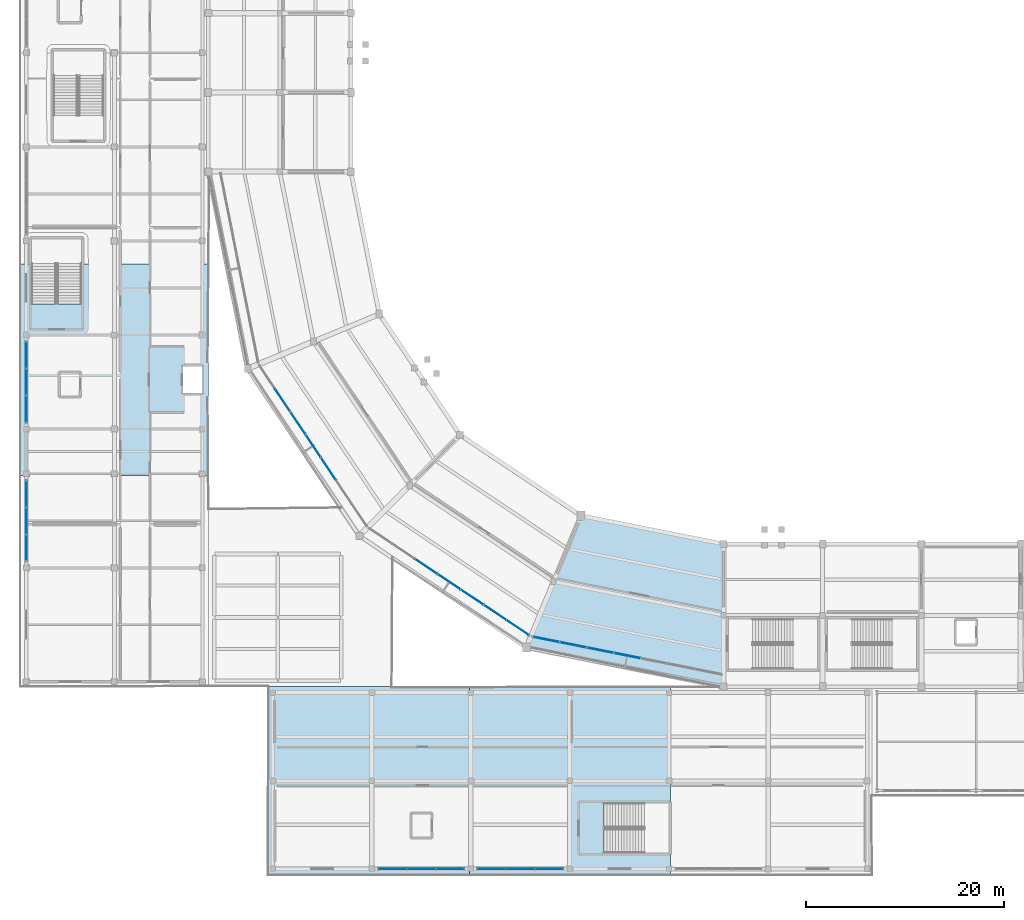
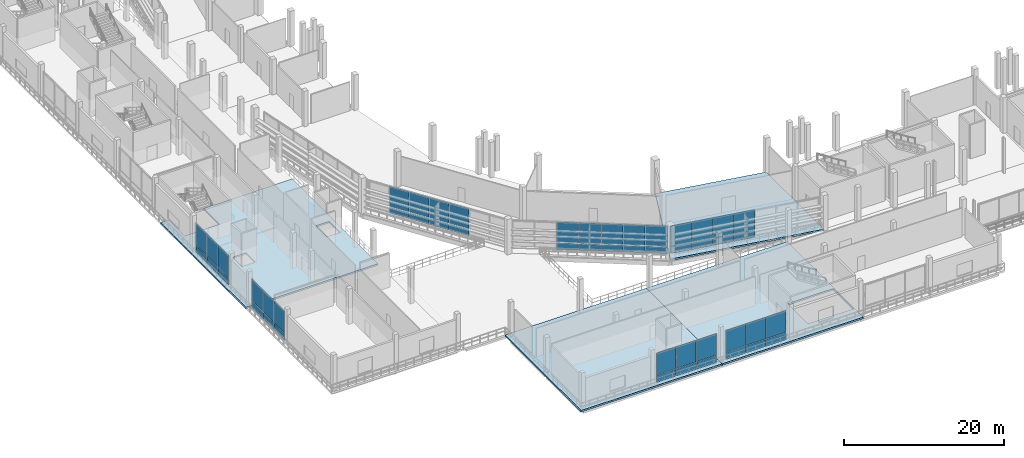
# One storey, part 59 of 111: 50 plates, 4 slabs, 7 elements without a shape of their own.
"""IFC4 building model written with IfcOpenShell, lengths in metres."""

from ifc_helpers import new_model, si_unit, direction, frame, origin, origin_2d, place, context, subcontext, project, spatial, polyline, rectangle, outline, extrude, material, layer, layer_set, type_object, element, aggregate, save


model = new_model("IFC4")

# Units and contexts
model_context = context("Model", 3, precision=1e-05, world=origin(), true_north=direction((0.0, 1.0)))
body_context = subcontext(model_context, "Body", "Model", "MODEL_VIEW")
ifc_project = project(units=[si_unit("LENGTHUNIT", "METRE"), si_unit("AREAUNIT", "SQUARE_METRE"), si_unit("VOLUMEUNIT", "CUBIC_METRE"), si_unit("PLANEANGLEUNIT", "RADIAN"), si_unit("MASSUNIT", "GRAM", prefix="KILO")], contexts=[model_context])

# Site, building, storey
site_placement = place(None, origin())
site = spatial("IfcSite", under=ifc_project, at=site_placement, CompositionType="ELEMENT")
building_placement = place(site_placement, origin())
building = spatial("IfcBuilding", under=site, at=building_placement, Name="Candeia Ridge Stadium", CompositionType="ELEMENT")
storey_placement = place(building_placement, frame((0.0, 0.0, 16.199951171875)))
storey = spatial("IfcBuildingStorey", under=building, at=storey_placement, Name="L03", CompositionType="ELEMENT", Elevation=16.199951171875)

# Slabs
ifc_material_1 = material(Name="Concrete C40/50", Category="concrete")
ifc_layer_1 = layer(ifc_material_1, 0.25, Name="Concrete C40/50", Category="concrete")
ifc_layer_set_1 = layer_set([ifc_layer_1], Name="Concrete C40/50")
slab_type = type_object("IfcSlabType", Name="Hospitality & Museum Slab 250", PredefinedType="FLOOR", material=ifc_layer_set_1)
slab_1_placement = place(storey_placement, frame((0.0, 0.0, -0.25)))
element("IfcSlab", 1, at=slab_1_placement, inside=storey, type_object=slab_type, Name="Bowl concourse sector slab L03 bay 18 SLB-L03-0126", PredefinedType="FLOOR", context=body_context, shape_type="SweptSolid", body=[
    extrude(outline(polyline([(70.960693359375, 33.40771484375), (70.960693359375, 19.0078125), (51.1005859375, 22.958251953125), (56.611083984375, 36.26220703125), (70.960693359375, 33.40771484375)])), origin(), (0.0, 0.0, 1.0), 0.25),
])
slab_2_placement = place(storey_placement, frame((0.0, 0.0, -0.25)))
element("IfcSlab", 2, at=slab_2_placement, inside=storey, type_object=slab_type, Name="Wing floor slab west SLB-L03-0277", PredefinedType="FLOOR", context=body_context, shape_type="SweptSolid", body=[
    extrude(outline(polyline([(19.0, 61.666748046875), (19.0, 40.333251953125), (0.0, 40.333251953125), (0.0, 61.666748046875), (1.14990234375, 61.666748046875), (1.14990234375, 57.650634765625), (6.199951171875, 57.650634765625), (6.199951171875, 61.666748046875), (19.0, 61.666748046875)]), holes=[polyline([(5.949951171875, 48.35009765625), (5.949951171875, 50.64990234375), (4.050048828125, 50.64990234375), (4.050048828125, 48.35009765625), (5.949951171875, 48.35009765625)]), polyline([(18.35009765625, 48.64990234375), (18.35009765625, 51.35009765625), (16.449951171875, 51.35009765625), (16.449951171875, 48.64990234375), (18.35009765625, 48.64990234375)])]), origin(), (0.0, 0.0, 1.0), 0.25),
])
slab_3_placement = place(storey_placement, frame((0.0, 0.0, -0.25)))
element("IfcSlab", 3, at=slab_3_placement, inside=storey, type_object=slab_type, Name="Wing floor slab sw_s SLB-L03-0282", PredefinedType="FLOOR", context=body_context, shape_type="SweptSolid", body=[
    extrude(outline(polyline([(25.0, 0.0), (25.0, 19.0), (45.333251953125, 19.0), (45.333251953125, 0.0), (25.0, 0.0)]), holes=[polyline([(41.449951171875, 3.85009765625), (41.449951171875, 6.14990234375), (39.550048828125, 6.14990234375), (39.550048828125, 3.85009765625), (41.449951171875, 3.85009765625)])]), origin(), (0.0, 0.0, 1.0), 0.25),
])
slab_4_placement = place(storey_placement, frame((0.0, 0.0, -0.25)))
element("IfcSlab", 4, at=slab_4_placement, inside=storey, type_object=slab_type, Name="Wing floor slab sw_s SLB-L03-0283", PredefinedType="FLOOR", context=body_context, shape_type="SweptSolid", body=[
    extrude(outline(polyline([(45.333251953125, 0.0), (45.333251953125, 19.0), (65.666748046875, 19.0), (65.666748046875, 0.0), (45.333251953125, 0.0)]), holes=[polyline([(65.5, 2.199951171875), (65.5, 7.25), (58.95068359375, 7.25), (58.95068359375, 2.199951171875), (65.5, 2.199951171875)])]), origin(), (0.0, 0.0, 1.0), 0.25),
])

# Curtain wall, plates
ifc_material_2 = material(Name="Aluminium Anodized Warm Bronze", Category="aluminium")
curtain_wall_type_1 = type_object("IfcCurtainWallType", Name="Concourse Recessed Unitised Curtain Wall", PredefinedType="NOTDEFINED", material=ifc_material_2)
curtain_wall_1_placement = place(storey_placement, origin())
curtain_wall_1 = element("IfcCurtainWall", 5, at=curtain_wall_1_placement, inside=storey, type_object=curtain_wall_type_1, Name="Unitised curtain wall CW-BWL-L03-17", PredefinedType="NOTDEFINED")
ifc_material_3 = material(Name="Aluminium Insulated Spandrel", Category="aluminium")
ifc_layer_2 = layer(ifc_material_3, 0.06494140625, Name="Aluminium Insulated Spandrel", Category="aluminium")
ifc_layer_set_2 = layer_set([ifc_layer_2], Name="Aluminium Insulated Spandrel")
plate_type_1 = type_object("IfcPlateType", Name="Insulated Bronze Spandrel Panel SP1", PredefinedType="CURTAIN_PANEL", material=ifc_layer_set_2)
plate_1_placement = place(storey_placement, frame((53.099609375, 23.760498046875, 0.0400390625), z_axis=(0.0, 0.0, 1.0), x_axis=(0.980785280696, -0.195090320544, 0.0)))
plate_1 = element("IfcPlate", 6, at=plate_1_placement, type_object=plate_type_1, Name="Curtain wall spandrel panel CW-BWL-L03-17-SP0", PredefinedType="CURTAIN_PANEL", context=body_context, shape_type="SweptSolid", body=[
    extrude(rectangle(XDim=2.710205078125, YDim=0.06494140625, at=origin_2d()), origin(), (0.0, 0.0, 1.0), 0.97119140625),
])
plate_2_placement = place(storey_placement, frame((55.826416015625, 23.21826171875, 0.0400390625), z_axis=(0.0, 0.0, 1.0), x_axis=(0.980785280696, -0.195090320544, 0.0)))
plate_2 = element("IfcPlate", 7, at=plate_2_placement, type_object=plate_type_1, Name="Curtain wall spandrel panel CW-BWL-L03-17-SP1", PredefinedType="CURTAIN_PANEL", context=body_context, shape_type="SweptSolid", body=[
    extrude(rectangle(XDim=2.710205078125, YDim=0.06494140625, at=origin_2d()), origin(), (0.0, 0.0, 1.0), 0.97119140625),
])
plate_3_placement = place(storey_placement, frame((58.552978515625, 22.67578125, 0.0400390625), z_axis=(0.0, 0.0, 1.0), x_axis=(0.980785280696, -0.195090320544, 0.0)))
plate_3 = element("IfcPlate", 8, at=plate_3_placement, type_object=plate_type_1, Name="Curtain wall spandrel panel CW-BWL-L03-17-SP2", PredefinedType="CURTAIN_PANEL", context=body_context, shape_type="SweptSolid", body=[
    extrude(rectangle(XDim=2.710205078125, YDim=0.06494140625, at=origin_2d()), origin(), (0.0, 0.0, 1.0), 0.97119140625),
])
plate_4_placement = place(storey_placement, frame((61.27978515625, 22.13330078125, 0.0400390625), z_axis=(0.0, 0.0, 1.0), x_axis=(0.980785280696, -0.195090320544, 0.0)))
plate_4 = element("IfcPlate", 9, at=plate_4_placement, type_object=plate_type_1, Name="Curtain wall spandrel panel CW-BWL-L03-17-SP3", PredefinedType="CURTAIN_PANEL", context=body_context, shape_type="SweptSolid", body=[
    extrude(rectangle(XDim=2.710205078125, YDim=0.06494140625, at=origin_2d()), origin(), (0.0, 0.0, 1.0), 0.97119140625),
])

curtain_wall_2_placement = place(storey_placement, origin())
curtain_wall_2 = element("IfcCurtainWall", 10, at=curtain_wall_2_placement, inside=storey, type_object=curtain_wall_type_1, Name="Unitised curtain wall CW-BWL-L03-15", PredefinedType="NOTDEFINED")
ifc_layer_3 = layer(ifc_material_3, 0.06494140625, Name="Aluminium Insulated Spandrel", Category="aluminium")
ifc_layer_set_3 = layer_set([ifc_layer_3], Name="Aluminium Insulated Spandrel")
plate_type_2 = type_object("IfcPlateType", Name="Insulated Bronze Spandrel Panel SP4", PredefinedType="CURTAIN_PANEL", material=ifc_layer_set_3)
plate_5_placement = place(storey_placement, frame((26.48388671875, 47.942626953125, 0.0400390625), z_axis=(0.0, 0.0, 1.0), x_axis=(0.555571447533, -0.831468800789, 0.0)))
plate_5 = element("IfcPlate", 11, at=plate_5_placement, type_object=plate_type_2, Name="Curtain wall spandrel panel CW-BWL-L03-15-SP1", PredefinedType="CURTAIN_PANEL", context=body_context, shape_type="SweptSolid", body=[
    extrude(rectangle(XDim=2.710205078125, YDim=0.06494140625, at=origin_2d()), origin(), (0.0, 0.0, 1.0), 0.97119140625),
])
plate_6_placement = place(storey_placement, frame((28.0283203125, 45.630859375, 0.0400390625), z_axis=(0.0, 0.0, 1.0), x_axis=(0.555571447533, -0.831468800789, 0.0)))
plate_6 = element("IfcPlate", 12, at=plate_6_placement, type_object=plate_type_2, Name="Curtain wall spandrel panel CW-BWL-L03-15-SP2", PredefinedType="CURTAIN_PANEL", context=body_context, shape_type="SweptSolid", body=[
    extrude(rectangle(XDim=2.710205078125, YDim=0.06494140625, at=origin_2d()), origin(), (0.0, 0.0, 1.0), 0.97119140625),
])
plate_7_placement = place(storey_placement, frame((29.572998046875, 43.3193359375, 0.0400390625), z_axis=(0.0, 0.0, 1.0), x_axis=(0.555571447533, -0.831468800789, 0.0)))
plate_7 = element("IfcPlate", 13, at=plate_7_placement, type_object=plate_type_2, Name="Curtain wall spandrel panel CW-BWL-L03-15-SP3", PredefinedType="CURTAIN_PANEL", context=body_context, shape_type="SweptSolid", body=[
    extrude(rectangle(XDim=2.710205078125, YDim=0.06494140625, at=origin_2d()), origin(), (0.0, 0.0, 1.0), 0.97119140625),
])
plate_8_placement = place(storey_placement, frame((31.117431640625, 41.0078125, 0.0400390625), z_axis=(0.0, 0.0, 1.0), x_axis=(0.555571447533, -0.831468800789, 0.0)))
plate_8 = element("IfcPlate", 14, at=plate_8_placement, type_object=plate_type_2, Name="Curtain wall spandrel panel CW-BWL-L03-15-SP4", PredefinedType="CURTAIN_PANEL", context=body_context, shape_type="SweptSolid", body=[
    extrude(rectangle(XDim=2.710205078125, YDim=0.06494140625, at=origin_2d()), origin(), (0.0, 0.0, 1.0), 0.97119140625),
])

curtain_wall_3_placement = place(storey_placement, origin())
curtain_wall_3 = element("IfcCurtainWall", 15, at=curtain_wall_3_placement, inside=storey, type_object=curtain_wall_type_1, Name="Unitised curtain wall CW-BWL-L03-16", PredefinedType="NOTDEFINED")
ifc_layer_4 = layer(ifc_material_3, 0.06494140625, Name="Aluminium Insulated Spandrel", Category="aluminium")
ifc_layer_set_4 = layer_set([ifc_layer_4], Name="Aluminium Insulated Spandrel")
plate_type_3 = type_object("IfcPlateType", Name="Insulated Bronze Spandrel Panel SP5", PredefinedType="CURTAIN_PANEL", material=ifc_layer_set_4)
plate_9_placement = place(storey_placement, frame((41.0078125, 31.117431640625, 0.0400390625), z_axis=(0.0, 0.0, 1.0), x_axis=(0.831468800789, -0.555571447533, 0.0)))
plate_9 = element("IfcPlate", 16, at=plate_9_placement, type_object=plate_type_3, Name="Curtain wall spandrel panel CW-BWL-L03-16-SP2", PredefinedType="CURTAIN_PANEL", context=body_context, shape_type="SweptSolid", body=[
    extrude(rectangle(XDim=2.710205078125, YDim=0.06494140625, at=origin_2d()), origin(), (0.0, 0.0, 1.0), 0.981201171875),
])
plate_10_placement = place(storey_placement, frame((43.3193359375, 29.572998046875, 0.0400390625), z_axis=(0.0, 0.0, 1.0), x_axis=(0.831468800789, -0.555571447533, 0.0)))
plate_10 = element("IfcPlate", 17, at=plate_10_placement, type_object=plate_type_3, Name="Curtain wall spandrel panel CW-BWL-L03-16-SP3", PredefinedType="CURTAIN_PANEL", context=body_context, shape_type="SweptSolid", body=[
    extrude(rectangle(XDim=2.710205078125, YDim=0.06494140625, at=origin_2d()), origin(), (0.0, 0.0, 1.0), 0.981201171875),
])
plate_11_placement = place(storey_placement, frame((45.630859375, 28.0283203125, 0.0400390625), z_axis=(0.0, 0.0, 1.0), x_axis=(0.831468800789, -0.555571447533, 0.0)))
plate_11 = element("IfcPlate", 18, at=plate_11_placement, type_object=plate_type_3, Name="Curtain wall spandrel panel CW-BWL-L03-16-SP4", PredefinedType="CURTAIN_PANEL", context=body_context, shape_type="SweptSolid", body=[
    extrude(rectangle(XDim=2.710205078125, YDim=0.06494140625, at=origin_2d()), origin(), (0.0, 0.0, 1.0), 0.981201171875),
])
plate_12_placement = place(storey_placement, frame((47.942626953125, 26.48388671875, 0.0400390625), z_axis=(0.0, 0.0, 1.0), x_axis=(0.831468800789, -0.555571447533, 0.0)))
plate_12 = element("IfcPlate", 19, at=plate_12_placement, type_object=plate_type_3, Name="Curtain wall spandrel panel CW-BWL-L03-16-SP5", PredefinedType="CURTAIN_PANEL", context=body_context, shape_type="SweptSolid", body=[
    extrude(rectangle(XDim=2.710205078125, YDim=0.06494140625, at=origin_2d()), origin(), (0.0, 0.0, 1.0), 0.981201171875),
])
plate_13_placement = place(storey_placement, frame((50.254150390625, 24.939208984375, 0.0400390625), z_axis=(0.0, 0.0, 1.0), x_axis=(0.831468800789, -0.555571447533, 0.0)))
plate_13 = element("IfcPlate", 20, at=plate_13_placement, type_object=plate_type_3, Name="Curtain wall spandrel panel CW-BWL-L03-16-SP6", PredefinedType="CURTAIN_PANEL", context=body_context, shape_type="SweptSolid", body=[
    extrude(rectangle(XDim=2.710205078125, YDim=0.06494140625, at=origin_2d()), origin(), (0.0, 0.0, 1.0), 0.981201171875),
])

curtain_wall_type_2 = type_object("IfcCurtainWallType", Name="West Pavilion Hospitality Curtain Wall", PredefinedType="NOTDEFINED", material=ifc_material_2)
curtain_wall_4_placement = place(storey_placement, origin())
curtain_wall_4 = element("IfcCurtainWall", 21, at=curtain_wall_4_placement, inside=storey, type_object=curtain_wall_type_2, Name="Unitised curtain wall CW-WNG-L03-087", PredefinedType="NOTDEFINED")
ifc_layer_5 = layer(ifc_material_3, 0.06494140625, Name="Aluminium Insulated Spandrel", Category="aluminium")
ifc_layer_set_5 = layer_set([ifc_layer_5], Name="Aluminium Insulated Spandrel")
plate_type_4 = type_object("IfcPlateType", Name="Insulated Cedar-Tone Spandrel Panel SP3", PredefinedType="CURTAIN_PANEL", material=ifc_layer_set_5)
plate_14_placement = place(storey_placement, frame((0.60009765625, 33.023193359375, 0.0400390625), z_axis=(0.0, 0.0, 1.0), x_axis=(0.0, 1.0, 0.0)))
plate_14 = element("IfcPlate", 22, at=plate_14_placement, type_object=plate_type_4, Name="Curtain wall spandrel panel CW-WNG-L03-087-SP0", PredefinedType="CURTAIN_PANEL", context=body_context, shape_type="SweptSolid", body=[
    extrude(rectangle(XDim=2.65673828125, YDim=0.06494140625, at=origin_2d()), origin(), (0.0, 0.0, 1.0), 1.02001953125),
])
plate_15_placement = place(storey_placement, frame((0.60009765625, 35.75, 0.0400390625), z_axis=(0.0, 0.0, 1.0), x_axis=(0.0, 1.0, 0.0)))
plate_15 = element("IfcPlate", 23, at=plate_15_placement, type_object=plate_type_4, Name="Curtain wall spandrel panel CW-WNG-L03-087-SP1", PredefinedType="CURTAIN_PANEL", context=body_context, shape_type="SweptSolid", body=[
    extrude(rectangle(XDim=2.65673828125, YDim=0.06494140625, at=origin_2d()), origin(), (0.0, 0.0, 1.0), 1.02001953125),
])
plate_16_placement = place(storey_placement, frame((0.60009765625, 38.476806640625, 0.0400390625), z_axis=(0.0, 0.0, 1.0), x_axis=(0.0, 1.0, 0.0)))
plate_16 = element("IfcPlate", 24, at=plate_16_placement, type_object=plate_type_4, Name="Curtain wall spandrel panel CW-WNG-L03-087-SP2", PredefinedType="CURTAIN_PANEL", context=body_context, shape_type="SweptSolid", body=[
    extrude(rectangle(XDim=2.65673828125, YDim=0.06494140625, at=origin_2d()), origin(), (0.0, 0.0, 1.0), 1.02001953125),
])

curtain_wall_5_placement = place(storey_placement, origin())
curtain_wall_5 = element("IfcCurtainWall", 25, at=curtain_wall_5_placement, inside=storey, type_object=curtain_wall_type_2, Name="Unitised curtain wall CW-WNG-L03-088", PredefinedType="NOTDEFINED")
plate_17_placement = place(storey_placement, frame((0.60009765625, 47.023193359375, 0.0400390625), z_axis=(0.0, 0.0, 1.0), x_axis=(0.0, 1.0, 0.0)))
plate_17 = element("IfcPlate", 26, at=plate_17_placement, type_object=plate_type_4, Name="Curtain wall spandrel panel CW-WNG-L03-088-SP0", PredefinedType="CURTAIN_PANEL", context=body_context, shape_type="SweptSolid", body=[
    extrude(rectangle(XDim=2.65673828125, YDim=0.06494140625, at=origin_2d()), origin(), (0.0, 0.0, 1.0), 1.02001953125),
])
plate_18_placement = place(storey_placement, frame((0.60009765625, 49.75, 0.0400390625), z_axis=(0.0, 0.0, 1.0), x_axis=(0.0, 1.0, 0.0)))
plate_18 = element("IfcPlate", 27, at=plate_18_placement, type_object=plate_type_4, Name="Curtain wall spandrel panel CW-WNG-L03-088-SP1", PredefinedType="CURTAIN_PANEL", context=body_context, shape_type="SweptSolid", body=[
    extrude(rectangle(XDim=2.65673828125, YDim=0.06494140625, at=origin_2d()), origin(), (0.0, 0.0, 1.0), 1.02001953125),
])
plate_19_placement = place(storey_placement, frame((0.60009765625, 52.476806640625, 0.0400390625), z_axis=(0.0, 0.0, 1.0), x_axis=(0.0, 1.0, 0.0)))
plate_19 = element("IfcPlate", 28, at=plate_19_placement, type_object=plate_type_4, Name="Curtain wall spandrel panel CW-WNG-L03-088-SP2", PredefinedType="CURTAIN_PANEL", context=body_context, shape_type="SweptSolid", body=[
    extrude(rectangle(XDim=2.65673828125, YDim=0.06494140625, at=origin_2d()), origin(), (0.0, 0.0, 1.0), 1.02001953125),
])

curtain_wall_type_3 = type_object("IfcCurtainWallType", Name="Museum & Boulevard Showcase Curtain Wall", PredefinedType="NOTDEFINED", material=ifc_material_2)
curtain_wall_6_placement = place(storey_placement, origin())
curtain_wall_6 = element("IfcCurtainWall", 29, at=curtain_wall_6_placement, inside=storey, type_object=curtain_wall_type_3, Name="Unitised curtain wall CW-WNG-L03-131", PredefinedType="NOTDEFINED")
plate_20_placement = place(storey_placement, frame((37.606689453125, 0.60009765625, 0.0400390625), z_axis=(0.0, 0.0, 1.0), x_axis=(1.0, 0.0, 0.0)))
plate_20 = element("IfcPlate", 30, at=plate_20_placement, type_object=plate_type_4, Name="Curtain wall spandrel panel CW-WNG-L03-131-SP0", PredefinedType="CURTAIN_PANEL", context=body_context, shape_type="SweptSolid", body=[
    extrude(rectangle(XDim=2.8232421875, YDim=0.06494140625, at=origin_2d()), origin(), (0.0, 0.0, 1.0), 1.02001953125),
])
plate_21_placement = place(storey_placement, frame((40.5, 0.60009765625, 0.0400390625), z_axis=(0.0, 0.0, 1.0), x_axis=(1.0, 0.0, 0.0)))
plate_21 = element("IfcPlate", 31, at=plate_21_placement, type_object=plate_type_4, Name="Curtain wall spandrel panel CW-WNG-L03-131-SP1", PredefinedType="CURTAIN_PANEL", context=body_context, shape_type="SweptSolid", body=[
    extrude(rectangle(XDim=2.8232421875, YDim=0.06494140625, at=origin_2d()), origin(), (0.0, 0.0, 1.0), 1.02001953125),
])
plate_22_placement = place(storey_placement, frame((43.393310546875, 0.60009765625, 0.0400390625), z_axis=(0.0, 0.0, 1.0), x_axis=(1.0, 0.0, 0.0)))
plate_22 = element("IfcPlate", 32, at=plate_22_placement, type_object=plate_type_4, Name="Curtain wall spandrel panel CW-WNG-L03-131-SP2", PredefinedType="CURTAIN_PANEL", context=body_context, shape_type="SweptSolid", body=[
    extrude(rectangle(XDim=2.8232421875, YDim=0.06494140625, at=origin_2d()), origin(), (0.0, 0.0, 1.0), 1.02001953125),
])

curtain_wall_7_placement = place(storey_placement, origin())
curtain_wall_7 = element("IfcCurtainWall", 33, at=curtain_wall_7_placement, inside=storey, type_object=curtain_wall_type_3, Name="Unitised curtain wall CW-WNG-L03-132", PredefinedType="NOTDEFINED")
plate_23_placement = place(storey_placement, frame((47.606689453125, 0.60009765625, 0.0400390625), z_axis=(0.0, 0.0, 1.0), x_axis=(1.0, 0.0, 0.0)))
plate_23 = element("IfcPlate", 34, at=plate_23_placement, type_object=plate_type_4, Name="Curtain wall spandrel panel CW-WNG-L03-132-SP0", PredefinedType="CURTAIN_PANEL", context=body_context, shape_type="SweptSolid", body=[
    extrude(rectangle(XDim=2.8232421875, YDim=0.06494140625, at=origin_2d()), origin(), (0.0, 0.0, 1.0), 1.02001953125),
])
plate_24_placement = place(storey_placement, frame((50.5, 0.60009765625, 0.0400390625), z_axis=(0.0, 0.0, 1.0), x_axis=(1.0, 0.0, 0.0)))
plate_24 = element("IfcPlate", 35, at=plate_24_placement, type_object=plate_type_4, Name="Curtain wall spandrel panel CW-WNG-L03-132-SP1", PredefinedType="CURTAIN_PANEL", context=body_context, shape_type="SweptSolid", body=[
    extrude(rectangle(XDim=2.8232421875, YDim=0.06494140625, at=origin_2d()), origin(), (0.0, 0.0, 1.0), 1.02001953125),
])
plate_25_placement = place(storey_placement, frame((53.393310546875, 0.60009765625, 0.0400390625), z_axis=(0.0, 0.0, 1.0), x_axis=(1.0, 0.0, 0.0)))
plate_25 = element("IfcPlate", 36, at=plate_25_placement, type_object=plate_type_4, Name="Curtain wall spandrel panel CW-WNG-L03-132-SP2", PredefinedType="CURTAIN_PANEL", context=body_context, shape_type="SweptSolid", body=[
    extrude(rectangle(XDim=2.8232421875, YDim=0.06494140625, at=origin_2d()), origin(), (0.0, 0.0, 1.0), 1.02001953125),
])

# Plate
ifc_material_4 = material(Name="Tempered Low-E Double Glazing", Category="glass")
ifc_layer_6 = layer(ifc_material_4, 0.035888671875, Name="Tempered Low-E Double Glazing", Category="glass")
ifc_layer_set_6 = layer_set([ifc_layer_6], Name="Tempered Low-E Double Glazing")
plate_type_5 = type_object("IfcPlateType", Name="Pavilion Panorama Glass Panel GP4", PredefinedType="CURTAIN_PANEL", material=ifc_layer_set_6)
plate_26_placement = place(storey_placement, frame((0.60009765625, 33.023193359375, 1.14013671875), z_axis=(0.0, 0.0, 1.0), x_axis=(0.0, 1.0, 0.0)))
plate_26 = element("IfcPlate", 37, at=plate_26_placement, type_object=plate_type_5, Name="Curtain wall vision glass panel CW-WNG-L03-087-GP0", PredefinedType="CURTAIN_PANEL", context=body_context, shape_type="SweptSolid", body=[
    extrude(rectangle(XDim=2.65673828125, YDim=0.035888671875, at=origin_2d()), origin(), (0.0, 0.0, 1.0), 3.284912109375),
])

plate_27_placement = place(storey_placement, frame((0.60009765625, 35.75, 1.14013671875), z_axis=(0.0, 0.0, 1.0), x_axis=(0.0, 1.0, 0.0)))
plate_27 = element("IfcPlate", 38, at=plate_27_placement, type_object=plate_type_5, Name="Curtain wall vision glass panel CW-WNG-L03-087-GP1", PredefinedType="CURTAIN_PANEL", context=body_context, shape_type="SweptSolid", body=[
    extrude(rectangle(XDim=2.65673828125, YDim=0.035888671875, at=origin_2d()), origin(), (0.0, 0.0, 1.0), 3.284912109375),
])

plate_28_placement = place(storey_placement, frame((0.60009765625, 38.476806640625, 1.14013671875), z_axis=(0.0, 0.0, 1.0), x_axis=(0.0, 1.0, 0.0)))
plate_28 = element("IfcPlate", 39, at=plate_28_placement, type_object=plate_type_5, Name="Curtain wall vision glass panel CW-WNG-L03-087-GP2", PredefinedType="CURTAIN_PANEL", context=body_context, shape_type="SweptSolid", body=[
    extrude(rectangle(XDim=2.65673828125, YDim=0.035888671875, at=origin_2d()), origin(), (0.0, 0.0, 1.0), 3.284912109375),
])

aggregate(curtain_wall_4, [plate_14, plate_26, plate_15, plate_27, plate_16, plate_28])

plate_29_placement = place(storey_placement, frame((0.60009765625, 47.023193359375, 1.14013671875), z_axis=(0.0, 0.0, 1.0), x_axis=(0.0, 1.0, 0.0)))
plate_29 = element("IfcPlate", 40, at=plate_29_placement, type_object=plate_type_5, Name="Curtain wall vision glass panel CW-WNG-L03-088-GP0", PredefinedType="CURTAIN_PANEL", context=body_context, shape_type="SweptSolid", body=[
    extrude(rectangle(XDim=2.65673828125, YDim=0.035888671875, at=origin_2d()), origin(), (0.0, 0.0, 1.0), 3.294921875),
])

plate_30_placement = place(storey_placement, frame((0.60009765625, 49.75, 1.14013671875), z_axis=(0.0, 0.0, 1.0), x_axis=(0.0, 1.0, 0.0)))
plate_30 = element("IfcPlate", 41, at=plate_30_placement, type_object=plate_type_5, Name="Curtain wall vision glass panel CW-WNG-L03-088-GP1", PredefinedType="CURTAIN_PANEL", context=body_context, shape_type="SweptSolid", body=[
    extrude(rectangle(XDim=2.65673828125, YDim=0.035888671875, at=origin_2d()), origin(), (0.0, 0.0, 1.0), 3.294921875),
])

plate_31_placement = place(storey_placement, frame((0.60009765625, 52.476806640625, 1.14013671875), z_axis=(0.0, 0.0, 1.0), x_axis=(0.0, 1.0, 0.0)))
plate_31 = element("IfcPlate", 42, at=plate_31_placement, type_object=plate_type_5, Name="Curtain wall vision glass panel CW-WNG-L03-088-GP2", PredefinedType="CURTAIN_PANEL", context=body_context, shape_type="SweptSolid", body=[
    extrude(rectangle(XDim=2.65673828125, YDim=0.035888671875, at=origin_2d()), origin(), (0.0, 0.0, 1.0), 3.294921875),
])

aggregate(curtain_wall_5, [plate_17, plate_29, plate_18, plate_30, plate_19, plate_31])

plate_32_placement = place(storey_placement, frame((37.606689453125, 0.60009765625, 1.14013671875), z_axis=(0.0, 0.0, 1.0), x_axis=(1.0, 0.0, 0.0)))
plate_32 = element("IfcPlate", 43, at=plate_32_placement, type_object=plate_type_5, Name="Curtain wall vision glass panel CW-WNG-L03-131-GP0", PredefinedType="CURTAIN_PANEL", context=body_context, shape_type="SweptSolid", body=[
    extrude(rectangle(XDim=2.8232421875, YDim=0.035888671875, at=origin_2d()), origin(), (0.0, 0.0, 1.0), 3.27490234375),
])

plate_33_placement = place(storey_placement, frame((40.5, 0.60009765625, 1.14013671875), z_axis=(0.0, 0.0, 1.0), x_axis=(1.0, 0.0, 0.0)))
plate_33 = element("IfcPlate", 44, at=plate_33_placement, type_object=plate_type_5, Name="Curtain wall vision glass panel CW-WNG-L03-131-GP1", PredefinedType="CURTAIN_PANEL", context=body_context, shape_type="SweptSolid", body=[
    extrude(rectangle(XDim=2.8232421875, YDim=0.035888671875, at=origin_2d()), origin(), (0.0, 0.0, 1.0), 3.27490234375),
])

plate_34_placement = place(storey_placement, frame((43.393310546875, 0.60009765625, 1.14013671875), z_axis=(0.0, 0.0, 1.0), x_axis=(1.0, 0.0, 0.0)))
plate_34 = element("IfcPlate", 45, at=plate_34_placement, type_object=plate_type_5, Name="Curtain wall vision glass panel CW-WNG-L03-131-GP2", PredefinedType="CURTAIN_PANEL", context=body_context, shape_type="SweptSolid", body=[
    extrude(rectangle(XDim=2.8232421875, YDim=0.035888671875, at=origin_2d()), origin(), (0.0, 0.0, 1.0), 3.27490234375),
])

aggregate(curtain_wall_6, [plate_20, plate_32, plate_21, plate_33, plate_22, plate_34])

plate_35_placement = place(storey_placement, frame((47.606689453125, 0.60009765625, 1.14013671875), z_axis=(0.0, 0.0, 1.0), x_axis=(1.0, 0.0, 0.0)))
plate_35 = element("IfcPlate", 46, at=plate_35_placement, type_object=plate_type_5, Name="Curtain wall vision glass panel CW-WNG-L03-132-GP0", PredefinedType="CURTAIN_PANEL", context=body_context, shape_type="SweptSolid", body=[
    extrude(rectangle(XDim=2.8232421875, YDim=0.035888671875, at=origin_2d()), origin(), (0.0, 0.0, 1.0), 3.27490234375),
])

plate_36_placement = place(storey_placement, frame((50.5, 0.60009765625, 1.14013671875), z_axis=(0.0, 0.0, 1.0), x_axis=(1.0, 0.0, 0.0)))
plate_36 = element("IfcPlate", 47, at=plate_36_placement, type_object=plate_type_5, Name="Curtain wall vision glass panel CW-WNG-L03-132-GP1", PredefinedType="CURTAIN_PANEL", context=body_context, shape_type="SweptSolid", body=[
    extrude(rectangle(XDim=2.8232421875, YDim=0.035888671875, at=origin_2d()), origin(), (0.0, 0.0, 1.0), 3.27490234375),
])

plate_37_placement = place(storey_placement, frame((53.393310546875, 0.60009765625, 1.14013671875), z_axis=(0.0, 0.0, 1.0), x_axis=(1.0, 0.0, 0.0)))
plate_37 = element("IfcPlate", 48, at=plate_37_placement, type_object=plate_type_5, Name="Curtain wall vision glass panel CW-WNG-L03-132-GP2", PredefinedType="CURTAIN_PANEL", context=body_context, shape_type="SweptSolid", body=[
    extrude(rectangle(XDim=2.8232421875, YDim=0.035888671875, at=origin_2d()), origin(), (0.0, 0.0, 1.0), 3.27490234375),
])

aggregate(curtain_wall_7, [plate_23, plate_35, plate_24, plate_36, plate_25, plate_37])

ifc_layer_7 = layer(ifc_material_4, 0.035888671875, Name="Tempered Low-E Double Glazing", Category="glass")
ifc_layer_set_7 = layer_set([ifc_layer_7], Name="Tempered Low-E Double Glazing")
plate_type_6 = type_object("IfcPlateType", Name="Solar Control Vision Glass Panel GP1", PredefinedType="CURTAIN_PANEL", material=ifc_layer_set_7)
plate_38_placement = place(storey_placement, frame((26.48388671875, 47.942626953125, 1.09130859375), z_axis=(0.0, 0.0, 1.0), x_axis=(0.555571447533, -0.831468800789, 0.0)))
plate_38 = element("IfcPlate", 49, at=plate_38_placement, type_object=plate_type_6, Name="Curtain wall vision glass panel CW-BWL-L03-15-GP1", PredefinedType="CURTAIN_PANEL", context=body_context, shape_type="SweptSolid", body=[
    extrude(rectangle(XDim=2.710205078125, YDim=0.035888671875, at=origin_2d()), origin(), (0.0, 0.0, 1.0), 3.07373046875),
])

plate_39_placement = place(storey_placement, frame((28.0283203125, 45.630859375, 1.09130859375), z_axis=(0.0, 0.0, 1.0), x_axis=(0.555571447533, -0.831468800789, 0.0)))
plate_39 = element("IfcPlate", 50, at=plate_39_placement, type_object=plate_type_6, Name="Curtain wall vision glass panel CW-BWL-L03-15-GP2", PredefinedType="CURTAIN_PANEL", context=body_context, shape_type="SweptSolid", body=[
    extrude(rectangle(XDim=2.710205078125, YDim=0.035888671875, at=origin_2d()), origin(), (0.0, 0.0, 1.0), 3.07373046875),
])

plate_40_placement = place(storey_placement, frame((29.572998046875, 43.3193359375, 1.09130859375), z_axis=(0.0, 0.0, 1.0), x_axis=(0.555571447533, -0.831468800789, 0.0)))
plate_40 = element("IfcPlate", 51, at=plate_40_placement, type_object=plate_type_6, Name="Curtain wall vision glass panel CW-BWL-L03-15-GP3", PredefinedType="CURTAIN_PANEL", context=body_context, shape_type="SweptSolid", body=[
    extrude(rectangle(XDim=2.710205078125, YDim=0.035888671875, at=origin_2d()), origin(), (0.0, 0.0, 1.0), 3.07373046875),
])

plate_41_placement = place(storey_placement, frame((31.117431640625, 41.0078125, 1.09130859375), z_axis=(0.0, 0.0, 1.0), x_axis=(0.555571447533, -0.831468800789, 0.0)))
plate_41 = element("IfcPlate", 52, at=plate_41_placement, type_object=plate_type_6, Name="Curtain wall vision glass panel CW-BWL-L03-15-GP4", PredefinedType="CURTAIN_PANEL", context=body_context, shape_type="SweptSolid", body=[
    extrude(rectangle(XDim=2.710205078125, YDim=0.035888671875, at=origin_2d()), origin(), (0.0, 0.0, 1.0), 3.07373046875),
])

aggregate(curtain_wall_2, [plate_5, plate_38, plate_6, plate_39, plate_7, plate_40, plate_8, plate_41])

ifc_layer_8 = layer(ifc_material_4, 0.035888671875, Name="Tempered Low-E Double Glazing", Category="glass")
ifc_layer_set_8 = layer_set([ifc_layer_8], Name="Tempered Low-E Double Glazing")
plate_type_7 = type_object("IfcPlateType", Name="Solar Control Vision Glass Panel GP2", PredefinedType="CURTAIN_PANEL", material=ifc_layer_set_8)
plate_42_placement = place(storey_placement, frame((41.0078125, 31.117431640625, 1.10107421875), z_axis=(0.0, 0.0, 1.0), x_axis=(0.831468800789, -0.555571447533, 0.0)))
plate_42 = element("IfcPlate", 53, at=plate_42_placement, type_object=plate_type_7, Name="Curtain wall vision glass panel CW-BWL-L03-16-GP2", PredefinedType="CURTAIN_PANEL", context=body_context, shape_type="SweptSolid", body=[
    extrude(rectangle(XDim=2.710205078125, YDim=0.035888671875, at=origin_2d()), origin(), (0.0, 0.0, 1.0), 3.103759765625),
])

plate_43_placement = place(storey_placement, frame((43.3193359375, 29.572998046875, 1.10107421875), z_axis=(0.0, 0.0, 1.0), x_axis=(0.831468800789, -0.555571447533, 0.0)))
plate_43 = element("IfcPlate", 54, at=plate_43_placement, type_object=plate_type_7, Name="Curtain wall vision glass panel CW-BWL-L03-16-GP3", PredefinedType="CURTAIN_PANEL", context=body_context, shape_type="SweptSolid", body=[
    extrude(rectangle(XDim=2.710205078125, YDim=0.035888671875, at=origin_2d()), origin(), (0.0, 0.0, 1.0), 3.103759765625),
])

plate_44_placement = place(storey_placement, frame((45.630859375, 28.0283203125, 1.10107421875), z_axis=(0.0, 0.0, 1.0), x_axis=(0.831468800789, -0.555571447533, 0.0)))
plate_44 = element("IfcPlate", 55, at=plate_44_placement, type_object=plate_type_7, Name="Curtain wall vision glass panel CW-BWL-L03-16-GP4", PredefinedType="CURTAIN_PANEL", context=body_context, shape_type="SweptSolid", body=[
    extrude(rectangle(XDim=2.710205078125, YDim=0.035888671875, at=origin_2d()), origin(), (0.0, 0.0, 1.0), 3.103759765625),
])

plate_45_placement = place(storey_placement, frame((47.942626953125, 26.48388671875, 1.10107421875), z_axis=(0.0, 0.0, 1.0), x_axis=(0.831468800789, -0.555571447533, 0.0)))
plate_45 = element("IfcPlate", 56, at=plate_45_placement, type_object=plate_type_7, Name="Curtain wall vision glass panel CW-BWL-L03-16-GP5", PredefinedType="CURTAIN_PANEL", context=body_context, shape_type="SweptSolid", body=[
    extrude(rectangle(XDim=2.710205078125, YDim=0.035888671875, at=origin_2d()), origin(), (0.0, 0.0, 1.0), 3.103759765625),
])

plate_46_placement = place(storey_placement, frame((50.254150390625, 24.939208984375, 1.10107421875), z_axis=(0.0, 0.0, 1.0), x_axis=(0.831468800789, -0.555571447533, 0.0)))
plate_46 = element("IfcPlate", 57, at=plate_46_placement, type_object=plate_type_7, Name="Curtain wall vision glass panel CW-BWL-L03-16-GP6", PredefinedType="CURTAIN_PANEL", context=body_context, shape_type="SweptSolid", body=[
    extrude(rectangle(XDim=2.710205078125, YDim=0.035888671875, at=origin_2d()), origin(), (0.0, 0.0, 1.0), 3.103759765625),
])

aggregate(curtain_wall_3, [plate_9, plate_42, plate_10, plate_43, plate_11, plate_44, plate_12, plate_45, plate_13, plate_46])

ifc_layer_9 = layer(ifc_material_4, 0.035888671875, Name="Tempered Low-E Double Glazing", Category="glass")
ifc_layer_set_9 = layer_set([ifc_layer_9], Name="Tempered Low-E Double Glazing")
plate_type_8 = type_object("IfcPlateType", Name="Solar Control Vision Glass Panel GP5", PredefinedType="CURTAIN_PANEL", material=ifc_layer_set_9)
plate_47_placement = place(storey_placement, frame((53.099609375, 23.760498046875, 1.09130859375), z_axis=(0.0, 0.0, 1.0), x_axis=(0.980785280696, -0.195090320544, 0.0)))
plate_47 = element("IfcPlate", 58, at=plate_47_placement, type_object=plate_type_8, Name="Curtain wall vision glass panel CW-BWL-L03-17-GP0", PredefinedType="CURTAIN_PANEL", context=body_context, shape_type="SweptSolid", body=[
    extrude(rectangle(XDim=2.710205078125, YDim=0.035888671875, at=origin_2d()), origin(), (0.0, 0.0, 1.0), 3.07373046875),
])

plate_48_placement = place(storey_placement, frame((55.826416015625, 23.21826171875, 1.09130859375), z_axis=(0.0, 0.0, 1.0), x_axis=(0.980785280696, -0.195090320544, 0.0)))
plate_48 = element("IfcPlate", 59, at=plate_48_placement, type_object=plate_type_8, Name="Curtain wall vision glass panel CW-BWL-L03-17-GP1", PredefinedType="CURTAIN_PANEL", context=body_context, shape_type="SweptSolid", body=[
    extrude(rectangle(XDim=2.710205078125, YDim=0.035888671875, at=origin_2d()), origin(), (0.0, 0.0, 1.0), 3.07373046875),
])

plate_49_placement = place(storey_placement, frame((58.552978515625, 22.67578125, 1.09130859375), z_axis=(0.0, 0.0, 1.0), x_axis=(0.980785280696, -0.195090320544, 0.0)))
plate_49 = element("IfcPlate", 60, at=plate_49_placement, type_object=plate_type_8, Name="Curtain wall vision glass panel CW-BWL-L03-17-GP2", PredefinedType="CURTAIN_PANEL", context=body_context, shape_type="SweptSolid", body=[
    extrude(rectangle(XDim=2.710205078125, YDim=0.035888671875, at=origin_2d()), origin(), (0.0, 0.0, 1.0), 3.07373046875),
])

plate_50_placement = place(storey_placement, frame((61.27978515625, 22.13330078125, 1.09130859375), z_axis=(0.0, 0.0, 1.0), x_axis=(0.980785280696, -0.195090320544, 0.0)))
plate_50 = element("IfcPlate", 61, at=plate_50_placement, type_object=plate_type_8, Name="Curtain wall vision glass panel CW-BWL-L03-17-GP3", PredefinedType="CURTAIN_PANEL", context=body_context, shape_type="SweptSolid", body=[
    extrude(rectangle(XDim=2.710205078125, YDim=0.035888671875, at=origin_2d()), origin(), (0.0, 0.0, 1.0), 3.07373046875),
])

aggregate(curtain_wall_1, [plate_1, plate_47, plate_2, plate_48, plate_3, plate_49, plate_4, plate_50])

save(model, "model.ifc")
